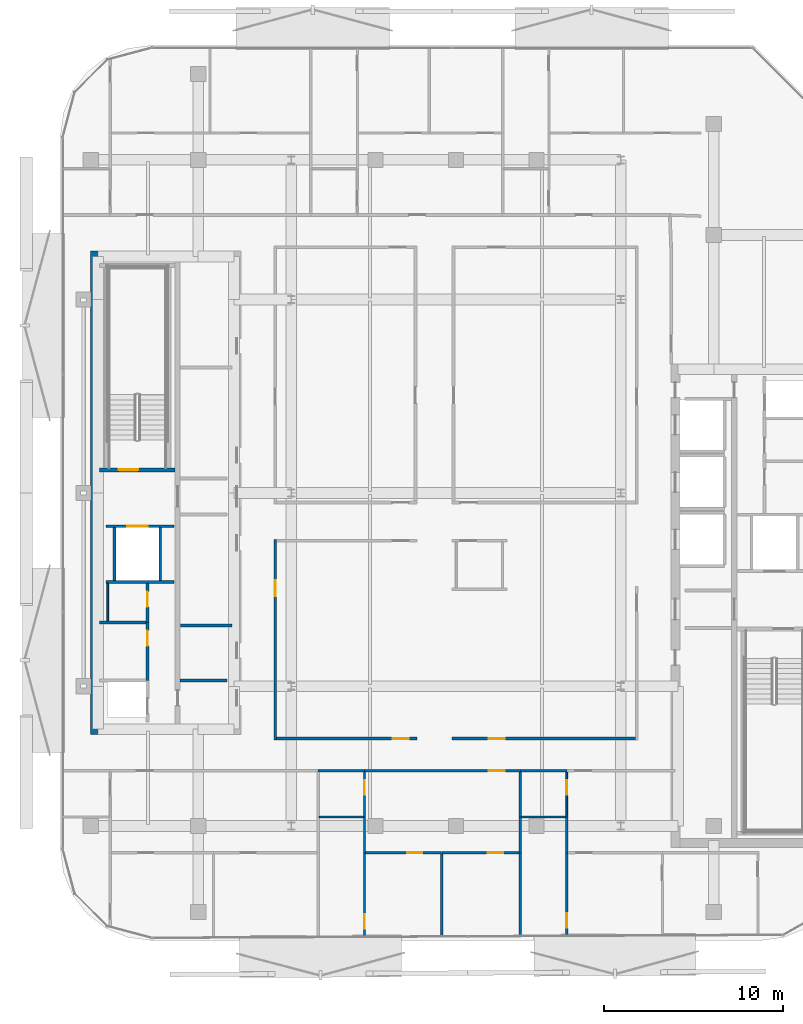
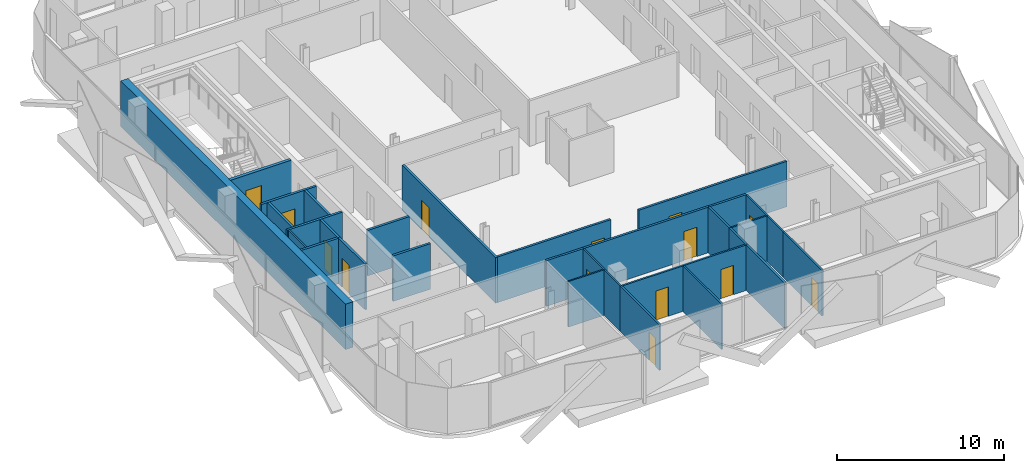
# One storey, part 3 of 15: 32 walls, 14 doors, 14 openings.
"""IFC4 building model written with IfcOpenShell, lengths in metres."""

from ifc_helpers import new_model, si_unit, direction, frame, frame_2d, origin, place, context, subcontext, project, spatial, rectangle, extrude, material, layer, layer_set, type_object, element, fill, save


model = new_model("IFC4")

# Units and contexts
model_context = context("Model", 3, precision=1e-05, world=origin(), true_north=direction((0.0, 1.0)))
body_context = subcontext(model_context, "Body", "Model", "MODEL_VIEW")
ifc_project = project(units=[si_unit("LENGTHUNIT", "METRE"), si_unit("AREAUNIT", "SQUARE_METRE"), si_unit("VOLUMEUNIT", "CUBIC_METRE"), si_unit("PLANEANGLEUNIT", "RADIAN"), si_unit("MASSUNIT", "GRAM", prefix="KILO")], contexts=[model_context])

# Site, building, storey
site_placement = place(None, origin())
site = spatial("IfcSite", under=ifc_project, at=site_placement, CompositionType="ELEMENT")
building_placement = place(site_placement, origin())
building = spatial("IfcBuilding", under=site, at=building_placement, Name="Khairoan Windgate Tower", CompositionType="ELEMENT")
storey_placement = place(building_placement, frame((0.0, 0.0, 244.0)))
storey = spatial("IfcBuildingStorey", under=building, at=storey_placement, Name="L57", CompositionType="ELEMENT", Elevation=244.0)

# Wall
ifc_material_1 = material(Name="Moisture-Resistant Gypsum Partition", Category="gypsum")
ifc_layer_1 = layer(ifc_material_1, 0.10009765625, Name="Moisture-Resistant Gypsum Partition")
ifc_layer_set_1 = layer_set([ifc_layer_1], Name="Moisture-Resistant Gypsum Partition")
wall_type_1 = type_object("IfcWallType", Name="Bathroom Wet-Area Partition Wall", PredefinedType="PARTITIONING", material=ifc_layer_set_1)
wall_1_placement = place(storey_placement, frame((-7.6298828125, -18.10009765625, 0.0), z_axis=(0.0, 0.0, 1.0), x_axis=(1.0, 0.0, 0.0)))
element("IfcWall", 1, at=wall_1_placement, inside=storey, type_object=wall_type_1, Name="L57 Interior Partition 079", PredefinedType="PARTITIONING", context=body_context, shape_type="SweptSolid", body=[
    extrude(rectangle(XDim=2.469970703125, YDim=0.10009765625, at=frame_2d((1.23486328125, 0.0))), origin(), (0.0, 0.0, 1.0), 3.340087890625),
])

# Wall, opening, door
wall_2_placement = place(storey_placement, frame((-5.110107421875, -18.10009765625, 0.0), z_axis=(0.0, 0.0, 1.0), x_axis=(0.0, 1.0, 0.0)))
wall_2 = element("IfcWall", 2, at=wall_2_placement, inside=storey, type_object=wall_type_1, Name="L57 Interior Partition 080", PredefinedType="PARTITIONING", context=body_context, shape_type="SweptSolid", body=[
    extrude(rectangle(XDim=2.5, YDim=0.10009765625, at=frame_2d((1.25, 0.0))), origin(), (0.0, 0.0, 1.0), 3.340087890625),
])
opening_1_placement = place(wall_2_placement, frame((1.239990234375, 0.0, 0.0)))
opening_1 = element("IfcOpeningElement", 3, at=opening_1_placement, cuts=wall_2, Name="Opening ID-BTH", PredefinedType="OPENING", context=body_context, shape_type="SweptSolid", body=[
    extrude(rectangle(XDim=0.800048828125, YDim=2.10009765625, at=frame_2d((0.39990234375, 1.050048828125))), frame((0.0, 0.06005859375, 0.0), z_axis=(0.0, -1.0, 0.0), x_axis=(1.0, 0.0, 0.0)), (0.0, 0.0, 1.0), 0.1201171875),
])
ifc_material_2 = material(Name="Teak Veneer Timber Leaf", Category="wood")
door_type_1 = type_object("IfcDoorType", Name="Internal Bathroom Door ID-BTH 800x2100", OperationType="NOTDEFINED", PredefinedType="DOOR", material=ifc_material_2)
door_1_placement = place(opening_1_placement, origin())
door_1 = element("IfcDoor", 4, at=door_1_placement, inside=storey, type_object=door_type_1, Name="L57 L57-53-L57-55 Door", OperationType="SINGLE_SWING_LEFT", OverallHeight=2.10009765625, OverallWidth=0.800048828125, PredefinedType="DOOR", context=body_context, shape_type="SweptSolid", body=[
    extrude(rectangle(XDim=0.800048828125, YDim=2.10009765625, at=frame_2d((0.39990234375, 1.050048828125))), frame((0.0, 0.02490234375, 0.0), z_axis=(0.0, -1.0, 0.0), x_axis=(1.0, 0.0, 0.0)), (0.0, 0.0, 1.0), 0.050048828125),
])
fill(opening_1, door_1)

# Wall
wall_3_placement = place(storey_placement, frame((3.669921875, -18.10009765625, 0.0), z_axis=(0.0, 0.0, 1.0), x_axis=(1.0, 0.0, 0.0)))
element("IfcWall", 5, at=wall_3_placement, inside=storey, type_object=wall_type_1, Name="L57 Interior Partition 089", PredefinedType="PARTITIONING", context=body_context, shape_type="SweptSolid", body=[
    extrude(rectangle(XDim=2.469970703125, YDim=0.10009765625, at=frame_2d((1.23486328125, 0.0))), origin(), (0.0, 0.0, 1.0), 3.340087890625),
])

# Wall, opening, door
wall_4_placement = place(storey_placement, frame((6.18994140625, -18.10009765625, 0.0), z_axis=(0.0, 0.0, 1.0), x_axis=(0.0, 1.0, 0.0)))
wall_4 = element("IfcWall", 6, at=wall_4_placement, inside=storey, type_object=wall_type_1, Name="L57 Interior Partition 090", PredefinedType="PARTITIONING", context=body_context, shape_type="SweptSolid", body=[
    extrude(rectangle(XDim=2.5, YDim=0.10009765625, at=frame_2d((1.25, 0.0))), origin(), (0.0, 0.0, 1.0), 3.340087890625),
])
opening_2_placement = place(wall_4_placement, frame((1.239990234375, 0.0, 0.0)))
opening_2 = element("IfcOpeningElement", 7, at=opening_2_placement, cuts=wall_4, Name="Opening ID-BTH", PredefinedType="OPENING", context=body_context, shape_type="SweptSolid", body=[
    extrude(rectangle(XDim=0.800048828125, YDim=2.10009765625, at=frame_2d((0.39990234375, 1.050048828125))), frame((0.0, 0.06005859375, 0.0), z_axis=(0.0, -1.0, 0.0), x_axis=(1.0, 0.0, 0.0)), (0.0, 0.0, 1.0), 0.1201171875),
])
door_2_placement = place(opening_2_placement, origin())
door_2 = element("IfcDoor", 8, at=door_2_placement, inside=storey, type_object=door_type_1, Name="L57 L57-58-L57-60 Door", OperationType="SINGLE_SWING_LEFT", OverallHeight=2.10009765625, OverallWidth=0.800048828125, PredefinedType="DOOR", context=body_context, shape_type="SweptSolid", body=[
    extrude(rectangle(XDim=0.800048828125, YDim=2.10009765625, at=frame_2d((0.39990234375, 1.050048828125))), frame((0.0, 0.02490234375, 0.0), z_axis=(0.0, -1.0, 0.0), x_axis=(1.0, 0.0, 0.0)), (0.0, 0.0, 1.0), 0.050048828125),
])
fill(opening_2, door_2)

# Wall
wall_5_placement = place(storey_placement, frame((-19.449951171875, -7.14990234375, 0.0), z_axis=(0.0, 0.0, 1.0), x_axis=(0.0, 1.0, 0.0)))
element("IfcWall", 9, at=wall_5_placement, inside=storey, type_object=wall_type_1, Name="L57 Wet Room Side Wall 098", PredefinedType="PARTITIONING", context=body_context, shape_type="SweptSolid", body=[
    extrude(rectangle(XDim=2.08984375, YDim=0.10009765625, at=frame_2d((1.044921875, 0.0))), origin(), (0.0, 0.0, 1.0), 3.340087890625),
])

# Wall, opening, door
ifc_material_3 = material(Name="Concrete C40/50", Category="concrete")
ifc_layer_2 = layer(ifc_material_3, 0.159912109375, Name="Concrete C40/50")
ifc_layer_set_2 = layer_set([ifc_layer_2], Name="Concrete C40/50")
wall_type_2 = type_object("IfcWallType", Name="Core and Hoistway Enclosure Wall", PredefinedType="STANDARD", material=ifc_layer_set_2)
wall_6_placement = place(storey_placement, frame((-19.550048828125, -1.860107421875, 0.0), z_axis=(0.0, 0.0, 1.0), x_axis=(1.0, 0.0, 0.0)))
wall_6 = element("IfcWall", 10, at=wall_6_placement, inside=storey, type_object=wall_type_2, Name="L57 Core Shaft Wall SW-FL2-L57", PredefinedType="STANDARD", context=body_context, shape_type="SweptSolid", body=[
    extrude(rectangle(XDim=3.800048828125, YDim=0.159912109375, at=frame_2d((1.89990234375, 0.0))), origin(), (0.0, 0.0, 1.0), 3.340087890625),
])
opening_3_placement = place(wall_6_placement, frame((1.179931640625, 0.0, 0.0)))
opening_3 = element("IfcOpeningElement", 11, at=opening_3_placement, cuts=wall_6, Name="Opening LD-FL", PredefinedType="OPENING", context=body_context, shape_type="SweptSolid", body=[
    extrude(rectangle(XDim=1.14990234375, YDim=2.199951171875, at=frame_2d((0.574951171875, 1.10009765625))), frame((0.0, 0.08984375, 0.0), z_axis=(0.0, -1.0, 0.0), x_axis=(1.0, 0.0, 0.0)), (0.0, 0.0, 1.0), 0.179931640625),
])
ifc_material_4 = material(Name="Steel S355", Category="steel")
door_type_2 = type_object("IfcDoorType", Name="Firefighting Lift Sliding Landing Door LD-FL 1150x2200", OperationType="DOUBLE_DOOR_SLIDING", PredefinedType="DOOR", material=ifc_material_4)
door_3_placement = place(opening_3_placement, origin())
door_3 = element("IfcDoor", 12, at=door_3_placement, inside=storey, type_object=door_type_2, Name="L57 Firefighting Lift FL2 Landing Door", OperationType="DOUBLE_DOOR_SLIDING", OverallHeight=2.199951171875, OverallWidth=1.14990234375, PredefinedType="DOOR", context=body_context, shape_type="SweptSolid", body=[
    extrude(rectangle(XDim=1.14990234375, YDim=2.199951171875, at=frame_2d((0.574951171875, 1.10009765625))), frame((0.0, 0.02490234375, 0.0), z_axis=(0.0, -1.0, 0.0), x_axis=(1.0, 0.0, 0.0)), (0.0, 0.0, 1.0), 0.050048828125),
])
fill(opening_3, door_3)

# Walls
wall_7_placement = place(storey_placement, frame((-19.550048828125, -4.97998046875, 0.0), z_axis=(0.0, 0.0, 1.0), x_axis=(1.0, 0.0, 0.0)))
element("IfcWall", 13, at=wall_7_placement, inside=storey, type_object=wall_type_2, Name="L57 Core Shaft Wall SW-FL2B-L57", PredefinedType="STANDARD", context=body_context, shape_type="SweptSolid", body=[
    extrude(rectangle(XDim=3.800048828125, YDim=0.159912109375, at=frame_2d((1.89990234375, 0.0))), origin(), (0.0, 0.0, 1.0), 3.340087890625),
])
for number, where, z_axis, x_axis, name in (
    (14, (-19.080078125, -4.89990234375, 0.0), (0.0, 0.0, 1.0), (0.0, 1.0, 0.0), "L57 Core Shaft Wall SW-FL2W-L57"),
    (15, (-16.52001953125, -4.89990234375, 0.0), (0.0, 0.0, 1.0), (0.0, 1.0, 0.0), "L57 Core Shaft Wall SW-FL2E-L57"),
):
    element("IfcWall", number, at=place(storey_placement, frame(where, z_axis=z_axis, x_axis=x_axis)), inside=storey, type_object=wall_type_2, Name=name, PredefinedType="STANDARD", context=body_context, shape_type="SweptSolid", body=[
        extrude(rectangle(XDim=2.9599609375, YDim=0.159912109375, at=frame_2d((1.47998046875, 0.0))), origin(), (0.0, 0.0, 1.0), 3.340087890625),
    ])
wall_8_placement = place(storey_placement, frame((-15.39990234375, -10.47998046875, 0.0), z_axis=(0.0, 0.0, 1.0), x_axis=(1.0, 0.0, 0.0)))
element("IfcWall", 16, at=wall_8_placement, inside=storey, type_object=wall_type_2, Name="L57 Core Shaft Wall SW-WSV-L57", PredefinedType="STANDARD", context=body_context, shape_type="SweptSolid", body=[
    extrude(rectangle(XDim=2.599853515625, YDim=0.159912109375, at=frame_2d((1.2998046875, 0.0))), origin(), (0.0, 0.0, 1.0), 3.340087890625),
])
ifc_material_5 = material(Name="Acoustic Fire-Rated Gypsum Partition", Category="gypsum")
ifc_layer_3 = layer(ifc_material_5, 0.139892578125, Name="Acoustic Fire-Rated Gypsum Partition")
ifc_layer_set_3 = layer_set([ifc_layer_3], Name="Acoustic Fire-Rated Gypsum Partition")
wall_type_3 = type_object("IfcWallType", Name="Inter-Tenancy Compartment Wall", PredefinedType="PARTITIONING", material=ifc_layer_set_3)
wall_9_placement = place(storey_placement, frame((3.60009765625, -18.10009765625, 0.0), z_axis=(0.0, 0.0, 1.0), x_axis=(0.0, 1.0, 0.0)))
element("IfcWall", 17, at=wall_9_placement, inside=storey, type_object=wall_type_3, Name="L57 Interior Partition 085", PredefinedType="PARTITIONING", context=body_context, shape_type="SweptSolid", body=[
    extrude(rectangle(XDim=2.5, YDim=0.139892578125, at=frame_2d((1.25, 0.0))), origin(), (0.0, 0.0, 1.0), 3.340087890625),
])
wall_10_placement = place(storey_placement, frame((3.60009765625, -20.10009765625, 0.0), z_axis=(0.0, 0.0, 1.0), x_axis=(0.0, 1.0, 0.0)))
element("IfcWall", 18, at=wall_10_placement, inside=storey, type_object=wall_type_3, Name="L57 Interior Partition 086", PredefinedType="PARTITIONING", context=body_context, shape_type="SweptSolid", body=[
    extrude(rectangle(XDim=2.0, YDim=0.139892578125, at=frame_2d((1.0, 0.0))), origin(), (0.0, 0.0, 1.0), 3.340087890625),
])
wall_11_placement = place(storey_placement, frame((3.60009765625, -24.755615234375, 0.0), z_axis=(0.0, 0.0, 1.0), x_axis=(0.0, 1.0, 0.0)))
element("IfcWall", 19, at=wall_11_placement, inside=storey, type_object=wall_type_3, Name="L57 Interior Partition 088", PredefinedType="PARTITIONING", context=body_context, shape_type="SweptSolid", body=[
    extrude(rectangle(XDim=4.655517578125, YDim=0.139892578125, at=frame_2d((2.32763671875, 0.0))), origin(), (0.0, 0.0, 1.0), 3.340087890625),
])
ifc_material_6 = material(Name="Gypsum Stud Partition", Category="gypsum")
ifc_layer_4 = layer(ifc_material_6, 0.1201171875, Name="Gypsum Stud Partition")
ifc_layer_set_4 = layer_set([ifc_layer_4], Name="Gypsum Stud Partition")
wall_type_4 = type_object("IfcWallType", Name="Internal Room Partition Wall", PredefinedType="PARTITIONING", material=ifc_layer_set_4)
wall_12_placement = place(storey_placement, frame((-5.110107421875, -20.10009765625, 0.0), z_axis=(0.0, 0.0, 1.0), x_axis=(0.0, 1.0, 0.0)))
element("IfcWall", 20, at=wall_12_placement, inside=storey, type_object=wall_type_4, Name="L57 Interior Partition 081", PredefinedType="PARTITIONING", context=body_context, shape_type="SweptSolid", body=[
    extrude(rectangle(XDim=2.0, YDim=0.1201171875, at=frame_2d((1.0, 0.0))), origin(), (0.0, 0.0, 1.0), 3.340087890625),
])

# Wall, opening, door
wall_13_placement = place(storey_placement, frame((-5.110107421875, -24.797607421875, 0.0), z_axis=(0.0, 0.0, 1.0), x_axis=(0.0, 1.0, 0.0)))
wall_13 = element("IfcWall", 21, at=wall_13_placement, inside=storey, type_object=wall_type_4, Name="L57 Interior Partition 082", PredefinedType="PARTITIONING", context=body_context, shape_type="SweptSolid", body=[
    extrude(rectangle(XDim=4.697509765625, YDim=0.1201171875, at=frame_2d((2.3486328125, 0.0))), origin(), (0.0, 0.0, 1.0), 3.340087890625),
])
opening_4_placement = place(wall_13_placement, frame((0.4599609375, 0.0, 0.0)))
opening_4 = element("IfcOpeningElement", 22, at=opening_4_placement, cuts=wall_13, Name="Opening ID-BTH", PredefinedType="OPENING", context=body_context, shape_type="SweptSolid", body=[
    extrude(rectangle(XDim=0.800048828125, YDim=2.10009765625, at=frame_2d((0.39990234375, 1.050048828125))), frame((0.0, 0.070068359375, 0.0), z_axis=(0.0, -1.0, 0.0), x_axis=(1.0, 0.0, 0.0)), (0.0, 0.0, 1.0), 0.14013671875),
])
door_4_placement = place(opening_4_placement, origin())
door_4 = element("IfcDoor", 23, at=door_4_placement, inside=storey, type_object=door_type_1, Name="L57 L57-54-L57-56 Door", OperationType="SINGLE_SWING_LEFT", OverallHeight=2.10009765625, OverallWidth=0.800048828125, PredefinedType="DOOR", context=body_context, shape_type="SweptSolid", body=[
    extrude(rectangle(XDim=0.800048828125, YDim=2.10009765625, at=frame_2d((0.39990234375, 1.050048828125))), frame((0.0, 0.02490234375, 0.0), z_axis=(0.0, -1.0, 0.0), x_axis=(1.0, 0.0, 0.0)), (0.0, 0.0, 1.0), 0.050048828125),
])
fill(opening_4, door_4)

wall_14_placement = place(storey_placement, frame((-5.050048828125, -20.10009765625, 0.0), z_axis=(0.0, 0.0, 1.0), x_axis=(1.0, 0.0, 0.0)))
wall_14 = element("IfcWall", 24, at=wall_14_placement, inside=storey, type_object=wall_type_4, Name="L57 Interior Partition 083", PredefinedType="PARTITIONING", context=body_context, shape_type="SweptSolid", body=[
    extrude(rectangle(XDim=4.255126953125, YDim=0.1201171875, at=frame_2d((2.12744140625, 0.0))), origin(), (0.0, 0.0, 1.0), 3.340087890625),
])
opening_5_placement = place(wall_14_placement, frame((2.31640625, 0.0, 0.0)))
opening_5 = element("IfcOpeningElement", 25, at=opening_5_placement, cuts=wall_14, Name="Opening ID-RM", PredefinedType="OPENING", context=body_context, shape_type="SweptSolid", body=[
    extrude(rectangle(XDim=0.860107421875, YDim=2.14990234375, at=frame_2d((0.43017578125, 1.074951171875))), frame((0.0, 0.070068359375, 0.0), z_axis=(0.0, -1.0, 0.0), x_axis=(1.0, 0.0, 0.0)), (0.0, 0.0, 1.0), 0.14013671875),
])
ifc_material_7 = material(Name="Teak Veneer Timber Leaf", Category="wood")
door_type_3 = type_object("IfcDoorType", Name="Internal Bedroom and Office Door ID-RM 860x2150", OperationType="NOTDEFINED", PredefinedType="DOOR", material=ifc_material_7)
door_5_placement = place(opening_5_placement, origin())
door_5 = element("IfcDoor", 26, at=door_5_placement, inside=storey, type_object=door_type_3, Name="L57 L57-55-L57-56 Door", OperationType="SINGLE_SWING_LEFT", OverallHeight=2.14990234375, OverallWidth=0.860107421875, PredefinedType="DOOR", context=body_context, shape_type="SweptSolid", body=[
    extrude(rectangle(XDim=0.860107421875, YDim=2.14990234375, at=frame_2d((0.43017578125, 1.074951171875))), frame((0.0, 0.02490234375, 0.0), z_axis=(0.0, -1.0, 0.0), x_axis=(1.0, 0.0, 0.0)), (0.0, 0.0, 1.0), 0.050048828125),
])
fill(opening_5, door_5)

wall_15_placement = place(storey_placement, frame((-0.794921875, -20.10009765625, 0.0), z_axis=(0.0, 0.0, 1.0), x_axis=(1.0, 0.0, 0.0)))
wall_15 = element("IfcWall", 27, at=wall_15_placement, inside=storey, type_object=wall_type_4, Name="L57 Interior Partition 084", PredefinedType="PARTITIONING", context=body_context, shape_type="SweptSolid", body=[
    extrude(rectangle(XDim=4.324951171875, YDim=0.1201171875, at=frame_2d((2.16259765625, 0.0))), origin(), (0.0, 0.0, 1.0), 3.340087890625),
])
opening_6_placement = place(wall_15_placement, frame((2.580810546875, 0.0, 0.0)))
opening_6 = element("IfcOpeningElement", 28, at=opening_6_placement, cuts=wall_15, Name="Opening ID-RM", PredefinedType="OPENING", context=body_context, shape_type="SweptSolid", body=[
    extrude(rectangle(XDim=0.860107421875, YDim=2.14990234375, at=frame_2d((0.43017578125, 1.074951171875))), frame((0.0, 0.070068359375, 0.0), z_axis=(0.0, -1.0, 0.0), x_axis=(1.0, 0.0, 0.0)), (0.0, 0.0, 1.0), 0.14013671875),
])
door_6_placement = place(opening_6_placement, origin())
door_6 = element("IfcDoor", 29, at=door_6_placement, inside=storey, type_object=door_type_3, Name="L57 L57-55-L57-57 Door", OperationType="SINGLE_SWING_RIGHT", OverallHeight=2.14990234375, OverallWidth=0.860107421875, PredefinedType="DOOR", context=body_context, shape_type="SweptSolid", body=[
    extrude(rectangle(XDim=0.860107421875, YDim=2.14990234375, at=frame_2d((0.43017578125, 1.074951171875))), frame((0.0, 0.02490234375, 0.0), z_axis=(0.0, -1.0, 0.0), x_axis=(1.0, 0.0, 0.0)), (0.0, 0.0, 1.0), 0.050048828125),
])
fill(opening_6, door_6)

# Walls
wall_16_placement = place(storey_placement, frame((-0.794921875, -24.77685546875, 0.0), z_axis=(0.0, 0.0, 1.0), x_axis=(0.0, 1.0, 0.0)))
element("IfcWall", 30, at=wall_16_placement, inside=storey, type_object=wall_type_4, Name="L57 Interior Partition 087", PredefinedType="PARTITIONING", context=body_context, shape_type="SweptSolid", body=[
    extrude(rectangle(XDim=4.616943359375, YDim=0.1201171875, at=frame_2d((2.30859375, 0.0))), origin(), (0.0, 0.0, 1.0), 3.340087890625),
])
wall_17_placement = place(storey_placement, frame((6.18994140625, -20.10009765625, 0.0), z_axis=(0.0, 0.0, 1.0), x_axis=(0.0, 1.0, 0.0)))
element("IfcWall", 31, at=wall_17_placement, inside=storey, type_object=wall_type_4, Name="L57 Interior Partition 091", PredefinedType="PARTITIONING", context=body_context, shape_type="SweptSolid", body=[
    extrude(rectangle(XDim=2.0, YDim=0.1201171875, at=frame_2d((1.0, 0.0))), origin(), (0.0, 0.0, 1.0), 3.340087890625),
])

# Wall, opening, door
wall_18_placement = place(storey_placement, frame((6.18994140625, -24.7431640625, 0.0), z_axis=(0.0, 0.0, 1.0), x_axis=(0.0, 1.0, 0.0)))
wall_18 = element("IfcWall", 32, at=wall_18_placement, inside=storey, type_object=wall_type_4, Name="L57 Interior Partition 092", PredefinedType="PARTITIONING", context=body_context, shape_type="SweptSolid", body=[
    extrude(rectangle(XDim=4.64306640625, YDim=0.1201171875, at=frame_2d((2.321533203125, 0.0))), origin(), (0.0, 0.0, 1.0), 3.340087890625),
])
opening_7_placement = place(wall_18_placement, frame((0.4599609375, 0.0, 0.0)))
opening_7 = element("IfcOpeningElement", 33, at=opening_7_placement, cuts=wall_18, Name="Opening ID-BTH", PredefinedType="OPENING", context=body_context, shape_type="SweptSolid", body=[
    extrude(rectangle(XDim=0.800048828125, YDim=2.10009765625, at=frame_2d((0.39990234375, 1.050048828125))), frame((0.0, 0.070068359375, 0.0), z_axis=(0.0, -1.0, 0.0), x_axis=(1.0, 0.0, 0.0)), (0.0, 0.0, 1.0), 0.14013671875),
])
door_7_placement = place(opening_7_placement, origin())
door_7 = element("IfcDoor", 34, at=door_7_placement, inside=storey, type_object=door_type_1, Name="L57 L57-59-L57-62 Door", OperationType="SINGLE_SWING_RIGHT", OverallHeight=2.10009765625, OverallWidth=0.800048828125, PredefinedType="DOOR", context=body_context, shape_type="SweptSolid", body=[
    extrude(rectangle(XDim=0.800048828125, YDim=2.10009765625, at=frame_2d((0.39990234375, 1.050048828125))), frame((0.0, 0.02490234375, 0.0), z_axis=(0.0, -1.0, 0.0), x_axis=(1.0, 0.0, 0.0)), (0.0, 0.0, 1.0), 0.050048828125),
])
fill(opening_7, door_7)

ifc_material_8 = material(Name="Concrete C40/50", Category="concrete")
ifc_layer_5 = layer(ifc_material_8, 0.159912109375, Name="Concrete C40/50")
ifc_layer_set_5 = layer_set([ifc_layer_5], Name="Concrete C40/50")
wall_type_5 = type_object("IfcWallType", Name="Plant and Refuge Compartment Wall", PredefinedType="PARTITIONING", material=ifc_layer_set_5)
wall_19_placement = place(storey_placement, frame((-17.22998046875, -7.22998046875, 0.0), z_axis=(0.0, 0.0, 1.0), x_axis=(0.0, 1.0, 0.0)))
wall_19 = element("IfcWall", 35, at=wall_19_placement, inside=storey, type_object=wall_type_5, Name="L57 Interior Partition 002", PredefinedType="PARTITIONING", context=body_context, shape_type="SweptSolid", body=[
    extrude(rectangle(XDim=2.169921875, YDim=0.159912109375, at=frame_2d((1.0849609375, 0.0))), origin(), (0.0, 0.0, 1.0), 3.340087890625),
])
opening_8_placement = place(wall_19_placement, frame((0.860107421875, 0.0, 0.0)))
opening_8 = element("IfcOpeningElement", 36, at=opening_8_placement, cuts=wall_19, Name="Opening FD-SRV", PredefinedType="OPENING", context=body_context, shape_type="SweptSolid", body=[
    extrude(rectangle(XDim=0.85009765625, YDim=2.10009765625, at=frame_2d((0.425048828125, 1.050048828125))), frame((0.0, 0.08984375, 0.0), z_axis=(0.0, -1.0, 0.0), x_axis=(1.0, 0.0, 0.0)), (0.0, 0.0, 1.0), 0.179931640625),
])
ifc_material_9 = material(Name="Steel S355", Category="steel")
door_type_4 = type_object("IfcDoorType", Name="Core Service and Riser Fire Door FD-SRV 850x2100", OperationType="NOTDEFINED", PredefinedType="DOOR", material=ifc_material_9)
door_8_placement = place(opening_8_placement, origin())
door_8 = element("IfcDoor", 37, at=door_8_placement, inside=storey, type_object=door_type_4, Name="L57 L57-04-L57-06 Door", OperationType="SINGLE_SWING_RIGHT", OverallHeight=2.10009765625, OverallWidth=0.85009765625, PredefinedType="DOOR", context=body_context, shape_type="SweptSolid", body=[
    extrude(rectangle(XDim=0.85009765625, YDim=2.10009765625, at=frame_2d((0.425048828125, 1.050048828125))), frame((0.0, 0.02490234375, 0.0), z_axis=(0.0, -1.0, 0.0), x_axis=(1.0, 0.0, 0.0)), (0.0, 0.0, 1.0), 0.050048828125),
])
fill(opening_8, door_8)

wall_20_placement = place(storey_placement, frame((-17.22998046875, -10.469970703125, 0.0), z_axis=(0.0, 0.0, 1.0), x_axis=(0.0, 1.0, 0.0)))
wall_20 = element("IfcWall", 38, at=wall_20_placement, inside=storey, type_object=wall_type_5, Name="L57 Interior Partition 003", PredefinedType="PARTITIONING", context=body_context, shape_type="SweptSolid", body=[
    extrude(rectangle(XDim=3.239990234375, YDim=0.159912109375, at=frame_2d((1.6201171875, 0.0))), origin(), (0.0, 0.0, 1.0), 3.340087890625),
])
opening_9_placement = place(wall_20_placement, frame((1.929931640625, 0.0, 0.0)))
opening_9 = element("IfcOpeningElement", 39, at=opening_9_placement, cuts=wall_20, Name="Opening FD-SRV", PredefinedType="OPENING", context=body_context, shape_type="SweptSolid", body=[
    extrude(rectangle(XDim=0.85009765625, YDim=2.10009765625, at=frame_2d((0.425048828125, 1.050048828125))), frame((0.0, 0.08984375, 0.0), z_axis=(0.0, -1.0, 0.0), x_axis=(1.0, 0.0, 0.0)), (0.0, 0.0, 1.0), 0.179931640625),
])
door_9_placement = place(opening_9_placement, origin())
door_9 = element("IfcDoor", 40, at=door_9_placement, inside=storey, type_object=door_type_4, Name="L57 L57-04-L57-07 Door", OperationType="SINGLE_SWING_LEFT", OverallHeight=2.10009765625, OverallWidth=0.85009765625, PredefinedType="DOOR", context=body_context, shape_type="SweptSolid", body=[
    extrude(rectangle(XDim=0.85009765625, YDim=2.10009765625, at=frame_2d((0.425048828125, 1.050048828125))), frame((0.0, 0.02490234375, 0.0), z_axis=(0.0, -1.0, 0.0), x_axis=(1.0, 0.0, 0.0)), (0.0, 0.0, 1.0), 0.050048828125),
])
fill(opening_9, door_9)

# Walls
wall_21_placement = place(storey_placement, frame((-19.89990234375, -7.22998046875, 0.0), z_axis=(0.0, 0.0, 1.0), x_axis=(1.0, 0.0, 0.0)))
element("IfcWall", 41, at=wall_21_placement, inside=storey, type_object=wall_type_5, Name="L57 Interior Partition 005", PredefinedType="PARTITIONING", context=body_context, shape_type="SweptSolid", body=[
    extrude(rectangle(XDim=2.58984375, YDim=0.159912109375, at=frame_2d((1.294921875, 0.0))), origin(), (0.0, 0.0, 1.0), 3.340087890625),
])
wall_22_placement = place(storey_placement, frame((-15.39990234375, -7.39990234375, 0.0), z_axis=(0.0, 0.0, 1.0), x_axis=(1.0, 0.0, 0.0)))
element("IfcWall", 42, at=wall_22_placement, inside=storey, type_object=wall_type_5, Name="L57 Interior Partition 007", PredefinedType="PARTITIONING", context=body_context, shape_type="SweptSolid", body=[
    extrude(rectangle(XDim=2.89990234375, YDim=0.159912109375, at=frame_2d((1.449951171875, 0.0))), origin(), (0.0, 0.0, 1.0), 3.340087890625),
])

# Wall, opening, door
ifc_material_10 = material(Name="Acoustic Fire-Rated Gypsum Partition", Category="gypsum")
ifc_layer_6 = layer(ifc_material_10, 0.14990234375, Name="Acoustic Fire-Rated Gypsum Partition")
ifc_layer_set_6 = layer_set([ifc_layer_6], Name="Acoustic Fire-Rated Gypsum Partition")
wall_type_6 = type_object("IfcWallType", Name="Rated Corridor Partition Wall", PredefinedType="PARTITIONING", material=ifc_layer_set_6)
wall_23_placement = place(storey_placement, frame((-10.10009765625, -13.794921875, 0.0), z_axis=(0.0, 0.0, 1.0), x_axis=(0.0, 1.0, 0.0)))
wall_23 = element("IfcWall", 43, at=wall_23_placement, inside=storey, type_object=wall_type_6, Name="L57 Interior Partition 014", PredefinedType="PARTITIONING", context=body_context, shape_type="SweptSolid", body=[
    extrude(rectangle(XDim=11.204833984375, YDim=0.14990234375, at=frame_2d((5.6025390625, 0.0))), origin(), (0.0, 0.0, 1.0), 3.340087890625),
])
opening_10_placement = place(wall_23_placement, frame((8.0087890625, 0.0, 0.0)))
opening_10 = element("IfcOpeningElement", 44, at=opening_10_placement, cuts=wall_23, Name="Opening FD-ENT", PredefinedType="OPENING", context=body_context, shape_type="SweptSolid", body=[
    extrude(rectangle(XDim=0.89990234375, YDim=2.14990234375, at=frame_2d((0.449951171875, 1.074951171875))), frame((0.0, 0.0849609375, 0.0), z_axis=(0.0, -1.0, 0.0), x_axis=(1.0, 0.0, 0.0)), (0.0, 0.0, 1.0), 0.169921875),
])
ifc_material_11 = material(Name="Timber Fire-Rated Core", Category="wood")
door_type_5 = type_object("IfcDoorType", Name="Unit and Office Fire Entrance Door FD-ENT 900x2150", OperationType="NOTDEFINED", PredefinedType="DOOR", material=ifc_material_11)
door_10_placement = place(opening_10_placement, origin())
door_10 = element("IfcDoor", 45, at=door_10_placement, inside=storey, type_object=door_type_5, Name="L57 L57-27-L57-66 Door", OperationType="SINGLE_SWING_RIGHT", OverallHeight=2.14990234375, OverallWidth=0.89990234375, PredefinedType="DOOR", context=body_context, shape_type="SweptSolid", body=[
    extrude(rectangle(XDim=0.89990234375, YDim=2.14990234375, at=frame_2d((0.449951171875, 1.074951171875))), frame((0.0, 0.02490234375, 0.0), z_axis=(0.0, -1.0, 0.0), x_axis=(1.0, 0.0, 0.0)), (0.0, 0.0, 1.0), 0.050048828125),
])
fill(opening_10, door_10)

# Wall
wall_24_placement = place(storey_placement, frame((-7.699951171875, -15.52490234375, 0.0), z_axis=(0.0, 0.0, 1.0), x_axis=(1.0, 0.0, 0.0)))
element("IfcWall", 46, at=wall_24_placement, inside=storey, type_object=wall_type_6, Name="L57 Interior Partition 035", PredefinedType="PARTITIONING", context=body_context, shape_type="SweptSolid", body=[
    extrude(rectangle(XDim=2.58984375, YDim=0.14990234375, at=frame_2d((1.294921875, 0.0))), origin(), (0.0, 0.0, 1.0), 3.340087890625),
])

# Wall, opening, door
wall_25_placement = place(storey_placement, frame((-5.110107421875, -15.52490234375, 0.0), z_axis=(0.0, 0.0, 1.0), x_axis=(1.0, 0.0, 0.0)))
wall_25 = element("IfcWall", 47, at=wall_25_placement, inside=storey, type_object=wall_type_6, Name="L57 Interior Partition 036", PredefinedType="PARTITIONING", context=body_context, shape_type="SweptSolid", body=[
    extrude(rectangle(XDim=8.710205078125, YDim=0.14990234375, at=frame_2d((4.35498046875, 0.0))), origin(), (0.0, 0.0, 1.0), 3.340087890625),
])
opening_11_placement = place(wall_25_placement, frame((6.944580078125, 0.0, 0.0)))
opening_11 = element("IfcOpeningElement", 48, at=opening_11_placement, cuts=wall_25, Name="Opening FD-ENT", PredefinedType="OPENING", context=body_context, shape_type="SweptSolid", body=[
    extrude(rectangle(XDim=0.89990234375, YDim=2.14990234375, at=frame_2d((0.449951171875, 1.074951171875))), frame((0.0, 0.0849609375, 0.0), z_axis=(0.0, -1.0, 0.0), x_axis=(1.0, 0.0, 0.0)), (0.0, 0.0, 1.0), 0.169921875),
])
door_11_placement = place(opening_11_placement, origin())
door_11 = element("IfcDoor", 49, at=door_11_placement, inside=storey, type_object=door_type_5, Name="L57 L57-32-L57-55 Door", OperationType="SINGLE_SWING_LEFT", OverallHeight=2.14990234375, OverallWidth=0.89990234375, PredefinedType="DOOR", context=body_context, shape_type="SweptSolid", body=[
    extrude(rectangle(XDim=0.89990234375, YDim=2.14990234375, at=frame_2d((0.449951171875, 1.074951171875))), frame((0.0, 0.02490234375, 0.0), z_axis=(0.0, -1.0, 0.0), x_axis=(1.0, 0.0, 0.0)), (0.0, 0.0, 1.0), 0.050048828125),
])
fill(opening_11, door_11)

# Wall
wall_26_placement = place(storey_placement, frame((3.60009765625, -15.52490234375, 0.0), z_axis=(0.0, 0.0, 1.0), x_axis=(1.0, 0.0, 0.0)))
element("IfcWall", 50, at=wall_26_placement, inside=storey, type_object=wall_type_6, Name="L57 Interior Partition 037", PredefinedType="PARTITIONING", context=body_context, shape_type="SweptSolid", body=[
    extrude(rectangle(XDim=2.58984375, YDim=0.14990234375, at=frame_2d((1.294921875, 0.0))), origin(), (0.0, 0.0, 1.0), 3.340087890625),
])

# Wall, opening, door
wall_27_placement = place(storey_placement, frame((-10.02490234375, -13.719970703125, 0.0), z_axis=(0.0, 0.0, 1.0), x_axis=(1.0, 0.0, 0.0)))
wall_27 = element("IfcWall", 51, at=wall_27_placement, inside=storey, type_object=wall_type_6, Name="L57 Interior Partition 039", PredefinedType="PARTITIONING", context=body_context, shape_type="SweptSolid", body=[
    extrude(rectangle(XDim=7.85498046875, YDim=0.14990234375, at=frame_2d((3.927490234375, 0.0))), origin(), (0.0, 0.0, 1.0), 3.340087890625),
])
opening_12_placement = place(wall_27_placement, frame((6.4951171875, 0.0, 0.0)))
opening_12 = element("IfcOpeningElement", 52, at=opening_12_placement, cuts=wall_27, Name="Opening FD-ENT", PredefinedType="OPENING", context=body_context, shape_type="SweptSolid", body=[
    extrude(rectangle(XDim=0.89990234375, YDim=2.14990234375, at=frame_2d((0.449951171875, 1.074951171875))), frame((0.0, 0.0849609375, 0.0), z_axis=(0.0, -1.0, 0.0), x_axis=(1.0, 0.0, 0.0)), (0.0, 0.0, 1.0), 0.169921875),
])
door_12_placement = place(opening_12_placement, origin())
door_12 = element("IfcDoor", 53, at=door_12_placement, inside=storey, type_object=door_type_5, Name="L57 L57-32-L57-66 Door", OperationType="SINGLE_SWING_LEFT", OverallHeight=2.14990234375, OverallWidth=0.89990234375, PredefinedType="DOOR", context=body_context, shape_type="SweptSolid", body=[
    extrude(rectangle(XDim=0.89990234375, YDim=2.14990234375, at=frame_2d((0.449951171875, 1.074951171875))), frame((0.0, 0.02490234375, 0.0), z_axis=(0.0, -1.0, 0.0), x_axis=(1.0, 0.0, 0.0)), (0.0, 0.0, 1.0), 0.050048828125),
])
fill(opening_12, door_12)

wall_28_placement = place(storey_placement, frame((-0.22998046875, -13.719970703125, 0.0), z_axis=(0.0, 0.0, 1.0), x_axis=(1.0, 0.0, 0.0)))
wall_28 = element("IfcWall", 54, at=wall_28_placement, inside=storey, type_object=wall_type_6, Name="L57 Interior Partition 040", PredefinedType="PARTITIONING", context=body_context, shape_type="SweptSolid", body=[
    extrude(rectangle(XDim=10.2548828125, YDim=0.14990234375, at=frame_2d((5.12744140625, 0.0))), origin(), (0.0, 0.0, 1.0), 3.340087890625),
])
opening_13_placement = place(wall_28_placement, frame((2.066650390625, 0.0, 0.0)))
opening_13 = element("IfcOpeningElement", 55, at=opening_13_placement, cuts=wall_28, Name="Opening FD-ENT", PredefinedType="OPENING", context=body_context, shape_type="SweptSolid", body=[
    extrude(rectangle(XDim=0.89990234375, YDim=2.14990234375, at=frame_2d((0.449951171875, 1.074951171875))), frame((0.0, 0.0849609375, 0.0), z_axis=(0.0, -1.0, 0.0), x_axis=(1.0, 0.0, 0.0)), (0.0, 0.0, 1.0), 0.169921875),
])
door_13_placement = place(opening_13_placement, origin())
door_13 = element("IfcDoor", 56, at=door_13_placement, inside=storey, type_object=door_type_5, Name="L57 L57-32-L57-69 Door", OperationType="SINGLE_SWING_RIGHT", OverallHeight=2.14990234375, OverallWidth=0.89990234375, PredefinedType="DOOR", context=body_context, shape_type="SweptSolid", body=[
    extrude(rectangle(XDim=0.89990234375, YDim=2.14990234375, at=frame_2d((0.449951171875, 1.074951171875))), frame((0.0, 0.02490234375, 0.0), z_axis=(0.0, -1.0, 0.0), x_axis=(1.0, 0.0, 0.0)), (0.0, 0.0, 1.0), 0.050048828125),
])
fill(opening_13, door_13)

# Wall
ifc_material_12 = material(Name="Concrete C50/60", Category="concrete")
ifc_layer_7 = layer(ifc_material_12, 0.5, Name="Concrete C50/60")
ifc_layer_set_7 = layer_set([ifc_layer_7], Name="Concrete C50/60")
wall_type_7 = type_object("IfcWallType", Name="Shear Wall CW-W3 500mm", PredefinedType="SHEAR", material=ifc_layer_set_7)
wall_29_placement = place(storey_placement, frame((-20.14990234375, -13.5, 0.0), z_axis=(0.0, 0.0, 1.0), x_axis=(0.0, 1.0, 0.0)))
element("IfcWall", 57, at=wall_29_placement, inside=storey, type_object=wall_type_7, Name="W Core West Shear Wall L57", PredefinedType="SHEAR", context=body_context, shape_type="SweptSolid", body=[
    extrude(rectangle(XDim=27.0, YDim=0.5, at=frame_2d((13.5, 0.0))), origin(), (0.0, 0.0, 1.0), 3.340087890625),
])

# Wall, opening, door
ifc_material_13 = material(Name="Concrete C50/60", Category="concrete")
ifc_layer_8 = layer(ifc_material_13, 0.219970703125, Name="Concrete C50/60")
ifc_layer_set_8 = layer_set([ifc_layer_8], Name="Concrete C50/60")
wall_type_8 = type_object("IfcWallType", Name="Shear Wall SW-ST 220mm", PredefinedType="SHEAR", material=ifc_layer_set_8)
wall_30_placement = place(storey_placement, frame((-19.919921875, 1.2900390625, 0.0), z_axis=(0.0, 0.0, 1.0), x_axis=(1.0, 0.0, 0.0)))
wall_30 = element("IfcWall", 58, at=wall_30_placement, inside=storey, type_object=wall_type_8, Name="L57 Stair ST2 South Bearing Wall", PredefinedType="SHEAR", context=body_context, shape_type="SweptSolid", body=[
    extrude(rectangle(XDim=4.239990234375, YDim=0.219970703125, at=frame_2d((2.1201171875, 0.0))), origin(), (0.0, 0.0, 1.0), 3.340087890625),
])
opening_14_placement = place(wall_30_placement, frame((1.080078125, 0.0, 0.0)))
opening_14 = element("IfcOpeningElement", 59, at=opening_14_placement, cuts=wall_30, Name="Opening FD-ST", PredefinedType="OPENING", context=body_context, shape_type="SweptSolid", body=[
    extrude(rectangle(XDim=1.10009765625, YDim=2.199951171875, at=frame_2d((0.550048828125, 1.10009765625))), frame((0.0, 0.119873046875, 0.0), z_axis=(0.0, -1.0, 0.0), x_axis=(1.0, 0.0, 0.0)), (0.0, 0.0, 1.0), 0.239990234375),
])
ifc_material_14 = material(Name="Steel S355", Category="steel")
door_type_6 = type_object("IfcDoorType", Name="Smokeproof Stair Fire Door FD-ST 1100x2200", OperationType="NOTDEFINED", PredefinedType="DOOR", material=ifc_material_14)
door_14_placement = place(opening_14_placement, origin())
door_14 = element("IfcDoor", 60, at=door_14_placement, inside=storey, type_object=door_type_6, Name="L57 Stair ST2 Fire Door", OperationType="SINGLE_SWING_LEFT", OverallHeight=2.199951171875, OverallWidth=1.10009765625, PredefinedType="DOOR", context=body_context, shape_type="SweptSolid", body=[
    extrude(rectangle(XDim=1.10009765625, YDim=2.199951171875, at=frame_2d((0.550048828125, 1.10009765625))), frame((0.0, 0.02490234375, 0.0), z_axis=(0.0, -1.0, 0.0), x_axis=(1.0, 0.0, 0.0)), (0.0, 0.0, 1.0), 0.050048828125),
])
fill(opening_14, door_14)

save(model, "model.ifc")
